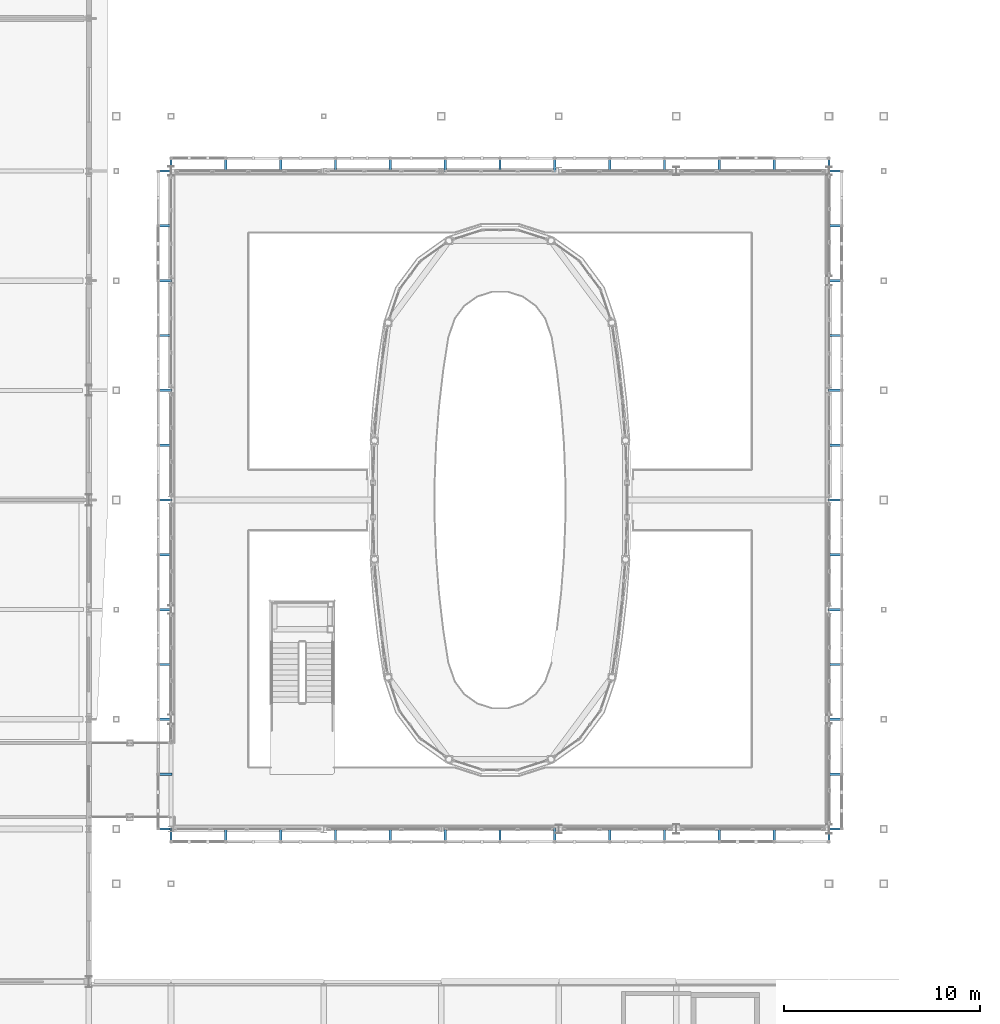
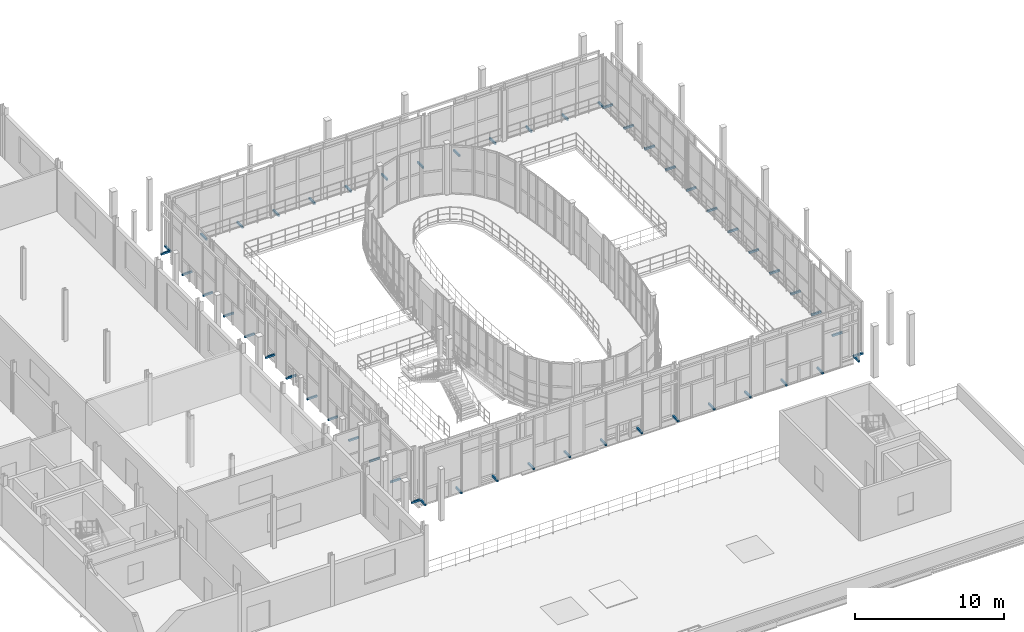
# One storey, part 128 of 138: 52 discrete accessories.
"""IFC4 building model written with IfcOpenShell, lengths in metres."""

import ifcopenshell
import ifcopenshell.guid

model = None  # the IFC model being written
_history = None  # IfcOwnerHistory: only IFC2X3 demands one
_inside = {}  # id of a spatial element -> (the spatial element, [elements in it])
_under = {}  # id of a project, library or spatial element -> (it, [spatial elements below it])
_declared = {}  # id of a project -> (the project, [libraries it declares])
_typed = {}  # id of a type object -> (the type object, [elements of that type])
_made_of = {}  # id of a material, layer set ... -> (it, [elements and type objects made of it])


def new_model(schema):
    """Start an empty IFC model of exactly this schema.

    Asked for "IFC4X3", IfcOpenShell would pick the latest addendum, in which some entities
    have other attributes; the version numbers below select the first issue.
    IFC2X3 requires an IfcOwnerHistory on every rooted entity: one is made here for all.
    """
    global model, _history
    if schema == "IFC4X3":
        model = ifcopenshell.file(schema_version=(4, 3, 0, 0))
    else:
        model = ifcopenshell.file(schema=schema)
    _inside.clear()
    _under.clear()
    _declared.clear()
    _typed.clear()
    _made_of.clear()
    _history = None
    if model.schema == "IFC2X3":
        org = make("IfcOrganization", Name="unknown")
        user = make(
            "IfcPersonAndOrganization",
            ThePerson=make("IfcPerson", FamilyName="unknown"),
            TheOrganization=org,
        )
        app = make(
            "IfcApplication",
            ApplicationDeveloper=org,
            Version="unknown",
            ApplicationFullName="unknown",
            ApplicationIdentifier="unknown",
        )
        _history = make(
            "IfcOwnerHistory",
            OwningUser=user,
            OwningApplication=app,
            ChangeAction="ADDED",
            CreationDate=0,
        )
    return model


def make(cls, **values):
    """One entity of the class cls with the attributes given. An attribute that is None is left unset."""
    return model.create_entity(
        cls, **{name: value for name, value in values.items() if value is not None}
    )


def rooted(cls, **values):
    """An entity with a GlobalId (a new one), such as an element, a storey or a relation."""
    return make(cls, GlobalId=ifcopenshell.guid.new(), OwnerHistory=_history, **values)


def si_unit(unit_type, name, prefix=None):
    """IfcSIUnit, for example si_unit("LENGTHUNIT", "METRE", prefix="MILLI")."""
    return make("IfcSIUnit", UnitType=unit_type, Prefix=prefix, Name=name)


def assignment(units):
    """IfcUnitAssignment: the units of a project."""
    return None if units is None else make("IfcUnitAssignment", Units=units)


def point(xyz):
    """IfcCartesianPoint."""
    return None if xyz is None else make("IfcCartesianPoint", Coordinates=xyz)


def direction(xyz):
    """IfcDirection."""
    return None if xyz is None else make("IfcDirection", DirectionRatios=xyz)


def frame(location, z_axis=None, x_axis=None):
    """IfcAxis2Placement3D, a coordinate frame: its origin and axes. An axis left out is left unset."""
    return make(
        "IfcAxis2Placement3D",
        Location=point(location),
        Axis=direction(z_axis),
        RefDirection=direction(x_axis),
    )


def frame_2d(location, x_axis=None):
    """IfcAxis2Placement2D, a coordinate frame in the plane: its origin and x axis."""
    return make(
        "IfcAxis2Placement2D", Location=point(location), RefDirection=direction(x_axis)
    )


def origin():
    """The frame at (0, 0, 0) with its axes left unset."""
    return frame((0.0, 0.0, 0.0))


def origin_2d():
    """The frame at (0, 0) in the plane with its x axis left unset."""
    return frame_2d((0.0, 0.0))


def place(relative_to, where):
    """IfcLocalPlacement: puts the frame where relative to a parent placement (None: the world)."""
    return make(
        "IfcLocalPlacement", PlacementRelTo=relative_to, RelativePlacement=where
    )


def context(
    kind, dimensions, precision=None, world=None, true_north=None, identifier=None
):
    """IfcGeometricRepresentationContext, for example the 3D "Model" context."""
    return make(
        "IfcGeometricRepresentationContext",
        ContextIdentifier=identifier,
        ContextType=kind,
        CoordinateSpaceDimension=dimensions,
        Precision=precision,
        WorldCoordinateSystem=world,
        TrueNorth=true_north,
    )


def subcontext(parent, identifier, kind, view, scale=None):
    """IfcGeometricRepresentationSubContext, for example "Body" below "Model"."""
    return make(
        "IfcGeometricRepresentationSubContext",
        ContextIdentifier=identifier,
        ContextType=kind,
        ParentContext=parent,
        TargetScale=scale,
        TargetView=view,
    )


def project(units=None, contexts=None):
    """IfcProject with its units and contexts."""
    return rooted(
        "IfcProject",
        Name="project",
        RepresentationContexts=contexts,
        UnitsInContext=assignment(units),
    )


def spatial(cls, under=None, at=None, **own):
    """A site, building, storey or space (cls), placed at a placement, below another one or the project."""
    s = rooted(cls, ObjectPlacement=at, **own)
    if under is not None:
        _under.setdefault(under.id(), (under, []))[1].append(s)
    return s


def profile(cls, at=None, kind="AREA", **sizes):
    """A parametric profile (cls). Its sizes go by their IFC names, for example OverallWidth=200.0."""
    return make(cls, ProfileType=kind, Position=at, **sizes)


def rectangle(**sizes):
    """IfcRectangleProfileDef."""
    return profile("IfcRectangleProfileDef", **sizes)


def extrude(swept, where, along, depth):
    """IfcExtrudedAreaSolid: the profile swept, set in the frame where, extruded along a direction by depth."""
    return make(
        "IfcExtrudedAreaSolid",
        SweptArea=swept,
        Position=where,
        ExtrudedDirection=direction(along),
        Depth=depth,
    )


def shape(context_of_items, identifier, shape_type, items):
    """IfcShapeRepresentation: the items that make up one representation, for example the "Body"."""
    return make(
        "IfcShapeRepresentation",
        ContextOfItems=context_of_items,
        RepresentationIdentifier=identifier,
        RepresentationType=shape_type,
        Items=items,
    )


def material(Name=None, Category=None):
    """IfcMaterial."""
    return make("IfcMaterial", Name=Name, Category=Category)


def made_of(thing, what):
    """Note that an element or type object is made of a material, layer set ...; save() writes the relation."""
    if what is not None:
        _made_of.setdefault(what.id(), (what, []))[1].append(thing)
    return thing


def type_object(cls, material=None, **own):
    """A type object (cls), such as IfcWallType, which elements share."""
    return made_of(rooted(cls, **own), material)


def element(
    cls,
    number,
    at=None,
    inside=None,
    cuts=None,
    type_object=None,
    material=None,
    context=None,
    identifier="Body",
    shape_type=None,
    held_by="IfcProductDefinitionShape",
    body=None,
    shapes=None,
    **own,
):
    """One element of the class cls, such as IfcWall. Its Tag is "e" and its number.

    at: its placement. inside: the storey or other place that contains it. cuts: it is an
    opening in that element (IfcRelVoidsElement). A single representation is given by context,
    identifier, shape_type and body (its items); several are given by shapes. held_by: the class
    of the entity that holds the representations. save() writes the other relations.
    """
    e = rooted(cls, Tag="e%d" % number, ObjectPlacement=at, **own)
    if body is not None:
        shapes = [shape(context, identifier, shape_type, body)]
    if shapes is not None:
        e.Representation = make(held_by, Representations=shapes)
    if inside is not None:
        _inside.setdefault(inside.id(), (inside, []))[1].append(e)
    if cuts is not None:
        rooted(
            "IfcRelVoidsElement", RelatingBuildingElement=cuts, RelatedOpeningElement=e
        )
    if type_object is not None:
        _typed.setdefault(type_object.id(), (type_object, []))[1].append(e)
    return made_of(e, material)


def aggregate(whole, parts):
    """IfcRelAggregates: a whole, such as a stair, and the parts it consists of."""
    return rooted("IfcRelAggregates", RelatingObject=whole, RelatedObjects=parts)


def save(model, path):
    """Write the relations noted so far, then the file.

    IfcRelAggregates (storeys below a building ...), IfcRelContainedInSpatialStructure (elements
    in a storey), IfcRelDefinesByType, IfcRelAssociatesMaterial and IfcRelDeclares: one each for
    every whole, place, type object, material and project.
    """
    for whole, parts in _under.values():
        aggregate(whole, parts)
    for where, things in _inside.values():
        rooted(
            "IfcRelContainedInSpatialStructure",
            RelatedElements=things,
            RelatingStructure=where,
        )
    for kind, things in _typed.values():
        rooted("IfcRelDefinesByType", RelatedObjects=things, RelatingType=kind)
    for what, things in _made_of.values():
        rooted("IfcRelAssociatesMaterial", RelatedObjects=things, RelatingMaterial=what)
    for by, libraries in _declared.values():
        rooted("IfcRelDeclares", RelatingContext=by, RelatedDefinitions=libraries)
    model.write(path)


model = new_model("IFC4")

# Units and contexts
model_context = context("Model", 3, precision=1e-05, world=origin(), true_north=direction((0.0, 1.0)))
body_context = subcontext(model_context, "Body", "Model", "MODEL_VIEW")
ifc_project = project(units=[si_unit("LENGTHUNIT", "METRE"), si_unit("AREAUNIT", "SQUARE_METRE"), si_unit("VOLUMEUNIT", "CUBIC_METRE"), si_unit("PLANEANGLEUNIT", "RADIAN"), si_unit("MASSUNIT", "GRAM", prefix="KILO")], contexts=[model_context])

# Site, building, storey
site_placement = place(None, origin())
site = spatial("IfcSite", under=ifc_project, at=site_placement, CompositionType="ELEMENT")
building_placement = place(site_placement, origin())
building = spatial("IfcBuilding", under=site, at=building_placement, Name="Vinh Khe Railworks Police Headquarters", CompositionType="ELEMENT")
storey_placement = place(building_placement, frame((0.0, 0.0, 9.0)))
storey = spatial("IfcBuildingStorey", under=building, at=storey_placement, Name="L02", CompositionType="ELEMENT", Elevation=9.0)

# Discrete accessories
ifc_material = material(Name="Steel S355JR", Category="steel")
discrete_accessory_type = type_object("IfcDiscreteAccessoryType", Name="SCR-BRK-OUTRIGGER", PredefinedType="BRACKET", material=ifc_material)
for number, where, z_axis, x_axis, name in (
    (1, (26.39990234375, 24.875, -0.16015625), (0.0, 0.0, 1.0), (1.0, 0.0, 0.0), "Patchwork Screen Tie-Back Bracket S-1.2"),
    (2, (29.199951171875, 24.875, -0.16015625), (0.0, 0.0, 1.0), (1.0, 0.0, 0.0), "Patchwork Screen Tie-Back Bracket S-2.2"),
    (3, (32.0, 24.875, -0.16015625), (0.0, 0.0, 1.0), (1.0, 0.0, 0.0), "Patchwork Screen Tie-Back Bracket S-3.2"),
    (4, (34.800048828125, 24.875, -0.16015625), (0.0, 0.0, 1.0), (1.0, 0.0, 0.0), "Patchwork Screen Tie-Back Bracket S-4.2"),
    (5, (37.60009765625, 24.875, -0.16015625), (0.0, 0.0, 1.0), (1.0, 0.0, 0.0), "Patchwork Screen Tie-Back Bracket S-5.2"),
    (6, (40.39990234375, 24.875, -0.16015625), (0.0, 0.0, 1.0), (1.0, 0.0, 0.0), "Patchwork Screen Tie-Back Bracket S-6.2"),
    (7, (43.199951171875, 24.875, -0.16015625), (0.0, 0.0, 1.0), (1.0, 0.0, 0.0), "Patchwork Screen Tie-Back Bracket S-7.2"),
    (8, (46.0, 24.875, -0.16015625), (0.0, 0.0, 1.0), (1.0, 0.0, 0.0), "Patchwork Screen Tie-Back Bracket S-8.2"),
    (9, (48.800048828125, 24.875, -0.16015625), (0.0, 0.0, 1.0), (1.0, 0.0, 0.0), "Patchwork Screen Tie-Back Bracket S-9.2"),
    (10, (51.60009765625, 24.875, -0.16015625), (0.0, 0.0, 1.0), (1.0, 0.0, 0.0), "Patchwork Screen Tie-Back Bracket S-10.2"),
    (11, (54.39990234375, 24.875, -0.16015625), (0.0, 0.0, 1.0), (1.0, 0.0, 0.0), "Patchwork Screen Tie-Back Bracket S-11.2"),
    (12, (57.199951171875, 24.875, -0.16015625), (0.0, 0.0, 1.0), (1.0, 0.0, 0.0), "Patchwork Screen Tie-Back Bracket S-12.2"),
    (13, (60.0, 24.875, -0.16015625), (0.0, 0.0, 1.0), (1.0, 0.0, 0.0), "Patchwork Screen Tie-Back Bracket S-13.2"),
    (14, (26.39990234375, 59.125, -0.16015625), (0.0, 0.0, 1.0), (1.0, 0.0, 0.0), "Patchwork Screen Tie-Back Bracket N-1.2"),
    (15, (29.199951171875, 59.125, -0.16015625), (0.0, 0.0, 1.0), (1.0, 0.0, 0.0), "Patchwork Screen Tie-Back Bracket N-2.2"),
    (16, (32.0, 59.125, -0.16015625), (0.0, 0.0, 1.0), (1.0, 0.0, 0.0), "Patchwork Screen Tie-Back Bracket N-3.2"),
    (17, (34.800048828125, 59.125, -0.16015625), (0.0, 0.0, 1.0), (1.0, 0.0, 0.0), "Patchwork Screen Tie-Back Bracket N-4.2"),
    (18, (37.60009765625, 59.125, -0.16015625), (0.0, 0.0, 1.0), (1.0, 0.0, 0.0), "Patchwork Screen Tie-Back Bracket N-5.2"),
    (19, (40.39990234375, 59.125, -0.16015625), (0.0, 0.0, 1.0), (1.0, 0.0, 0.0), "Patchwork Screen Tie-Back Bracket N-6.2"),
    (20, (43.199951171875, 59.125, -0.16015625), (0.0, 0.0, 1.0), (1.0, 0.0, 0.0), "Patchwork Screen Tie-Back Bracket N-7.2"),
    (21, (46.0, 59.125, -0.16015625), (0.0, 0.0, 1.0), (1.0, 0.0, 0.0), "Patchwork Screen Tie-Back Bracket N-8.2"),
    (22, (48.800048828125, 59.125, -0.16015625), (0.0, 0.0, 1.0), (1.0, 0.0, 0.0), "Patchwork Screen Tie-Back Bracket N-9.2"),
    (23, (51.60009765625, 59.125, -0.16015625), (0.0, 0.0, 1.0), (1.0, 0.0, 0.0), "Patchwork Screen Tie-Back Bracket N-10.2"),
    (24, (54.39990234375, 59.125, -0.16015625), (0.0, 0.0, 1.0), (1.0, 0.0, 0.0), "Patchwork Screen Tie-Back Bracket N-11.2"),
    (25, (57.199951171875, 59.125, -0.16015625), (0.0, 0.0, 1.0), (1.0, 0.0, 0.0), "Patchwork Screen Tie-Back Bracket N-12.2"),
    (26, (60.0, 59.125, -0.16015625), (0.0, 0.0, 1.0), (1.0, 0.0, 0.0), "Patchwork Screen Tie-Back Bracket N-13.2"),
):
    element("IfcDiscreteAccessory", number, at=place(storey_placement, frame(where, z_axis=z_axis, x_axis=x_axis)), inside=storey, type_object=discrete_accessory_type, Name=name, PredefinedType="BRACKET", context=body_context, shape_type="SweptSolid", body=[
        extrude(rectangle(XDim=0.1201171875, YDim=0.77001953125, at=origin_2d()), origin(), (0.0, 0.0, 1.0), 0.159912109375),
    ])
for number, where, z_axis, x_axis, name in (
    (27, (60.324951171875, 25.199951171875, -0.16015625), (0.0, 0.0, 1.0), (1.0, 0.0, 0.0), "Patchwork Screen Tie-Back Bracket E-1.2"),
    (28, (60.324951171875, 28.0, -0.16015625), (0.0, 0.0, 1.0), (1.0, 0.0, 0.0), "Patchwork Screen Tie-Back Bracket E-2.2"),
    (29, (60.324951171875, 30.800048828125, -0.16015625), (0.0, 0.0, 1.0), (1.0, 0.0, 0.0), "Patchwork Screen Tie-Back Bracket E-3.2"),
    (30, (60.324951171875, 33.60009765625, -0.16015625), (0.0, 0.0, 1.0), (1.0, 0.0, 0.0), "Patchwork Screen Tie-Back Bracket E-4.2"),
    (31, (60.324951171875, 36.39990234375, -0.16015625), (0.0, 0.0, 1.0), (1.0, 0.0, 0.0), "Patchwork Screen Tie-Back Bracket E-5.2"),
    (32, (60.324951171875, 39.199951171875, -0.16015625), (0.0, 0.0, 1.0), (1.0, 0.0, 0.0), "Patchwork Screen Tie-Back Bracket E-6.2"),
    (33, (60.324951171875, 42.0, -0.16015625), (0.0, 0.0, 1.0), (1.0, 0.0, 0.0), "Patchwork Screen Tie-Back Bracket E-7.2"),
    (34, (60.324951171875, 44.800048828125, -0.16015625), (0.0, 0.0, 1.0), (1.0, 0.0, 0.0), "Patchwork Screen Tie-Back Bracket E-8.2"),
    (35, (60.324951171875, 47.60009765625, -0.16015625), (0.0, 0.0, 1.0), (1.0, 0.0, 0.0), "Patchwork Screen Tie-Back Bracket E-9.2"),
    (36, (60.324951171875, 50.39990234375, -0.16015625), (0.0, 0.0, 1.0), (1.0, 0.0, 0.0), "Patchwork Screen Tie-Back Bracket E-10.2"),
    (37, (60.324951171875, 53.199951171875, -0.16015625), (0.0, 0.0, 1.0), (1.0, 0.0, 0.0), "Patchwork Screen Tie-Back Bracket E-11.2"),
    (38, (60.324951171875, 56.0, -0.16015625), (0.0, 0.0, 1.0), (1.0, 0.0, 0.0), "Patchwork Screen Tie-Back Bracket E-12.2"),
    (39, (60.324951171875, 58.800048828125, -0.16015625), (0.0, 0.0, 1.0), (1.0, 0.0, 0.0), "Patchwork Screen Tie-Back Bracket E-13.2"),
    (40, (26.074951171875, 25.199951171875, -0.16015625), (0.0, 0.0, 1.0), (1.0, 0.0, 0.0), "Patchwork Screen Tie-Back Bracket W-1.2"),
    (41, (26.074951171875, 28.0, -0.16015625), (0.0, 0.0, 1.0), (1.0, 0.0, 0.0), "Patchwork Screen Tie-Back Bracket W-2.2"),
    (42, (26.074951171875, 30.800048828125, -0.16015625), (0.0, 0.0, 1.0), (1.0, 0.0, 0.0), "Patchwork Screen Tie-Back Bracket W-3.2"),
    (43, (26.074951171875, 33.60009765625, -0.16015625), (0.0, 0.0, 1.0), (1.0, 0.0, 0.0), "Patchwork Screen Tie-Back Bracket W-4.2"),
    (44, (26.074951171875, 36.39990234375, -0.16015625), (0.0, 0.0, 1.0), (1.0, 0.0, 0.0), "Patchwork Screen Tie-Back Bracket W-5.2"),
    (45, (26.074951171875, 39.199951171875, -0.16015625), (0.0, 0.0, 1.0), (1.0, 0.0, 0.0), "Patchwork Screen Tie-Back Bracket W-6.2"),
    (46, (26.074951171875, 42.0, -0.16015625), (0.0, 0.0, 1.0), (1.0, 0.0, 0.0), "Patchwork Screen Tie-Back Bracket W-7.2"),
    (47, (26.074951171875, 44.800048828125, -0.16015625), (0.0, 0.0, 1.0), (1.0, 0.0, 0.0), "Patchwork Screen Tie-Back Bracket W-8.2"),
    (48, (26.074951171875, 47.60009765625, -0.16015625), (0.0, 0.0, 1.0), (1.0, 0.0, 0.0), "Patchwork Screen Tie-Back Bracket W-9.2"),
    (49, (26.074951171875, 50.39990234375, -0.16015625), (0.0, 0.0, 1.0), (1.0, 0.0, 0.0), "Patchwork Screen Tie-Back Bracket W-10.2"),
    (50, (26.074951171875, 53.199951171875, -0.16015625), (0.0, 0.0, 1.0), (1.0, 0.0, 0.0), "Patchwork Screen Tie-Back Bracket W-11.2"),
    (51, (26.074951171875, 56.0, -0.16015625), (0.0, 0.0, 1.0), (1.0, 0.0, 0.0), "Patchwork Screen Tie-Back Bracket W-12.2"),
    (52, (26.074951171875, 58.800048828125, -0.16015625), (0.0, 0.0, 1.0), (1.0, 0.0, 0.0), "Patchwork Screen Tie-Back Bracket W-13.2"),
):
    element("IfcDiscreteAccessory", number, at=place(storey_placement, frame(where, z_axis=z_axis, x_axis=x_axis)), inside=storey, type_object=discrete_accessory_type, Name=name, PredefinedType="BRACKET", context=body_context, shape_type="SweptSolid", body=[
        extrude(rectangle(XDim=0.77001953125, YDim=0.1201171875, at=origin_2d()), origin(), (0.0, 0.0, 1.0), 0.159912109375),
    ])

save(model, "model.ifc")
